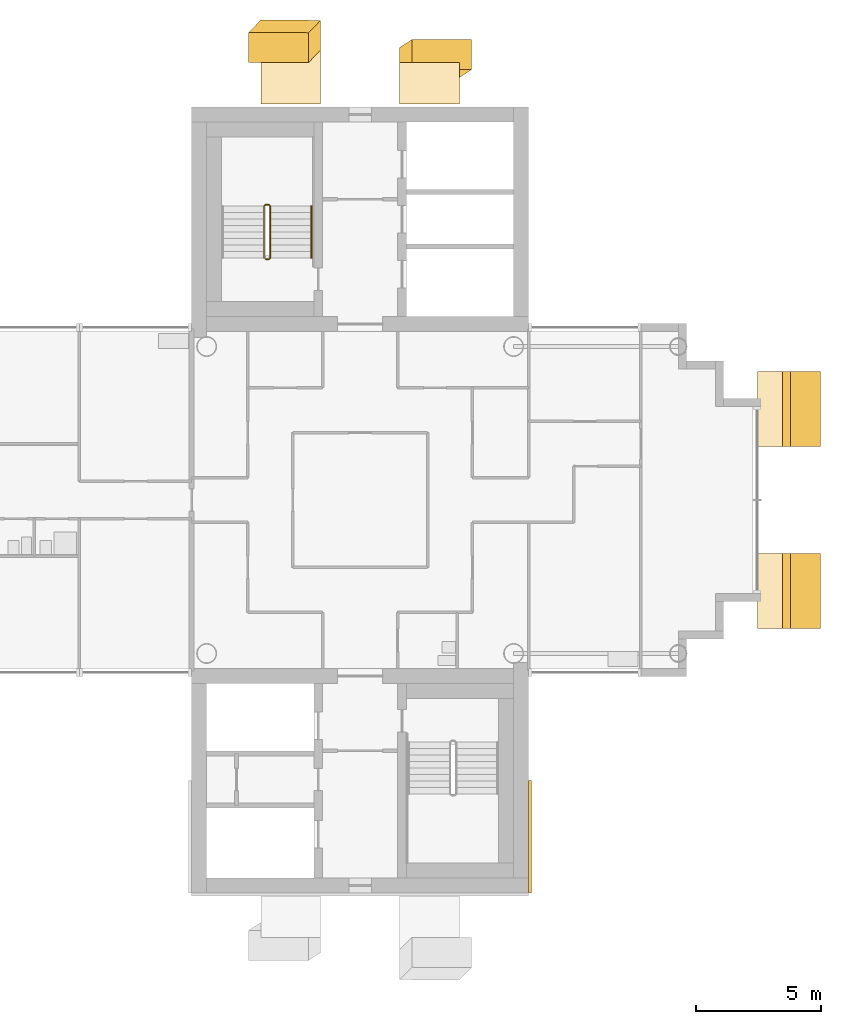
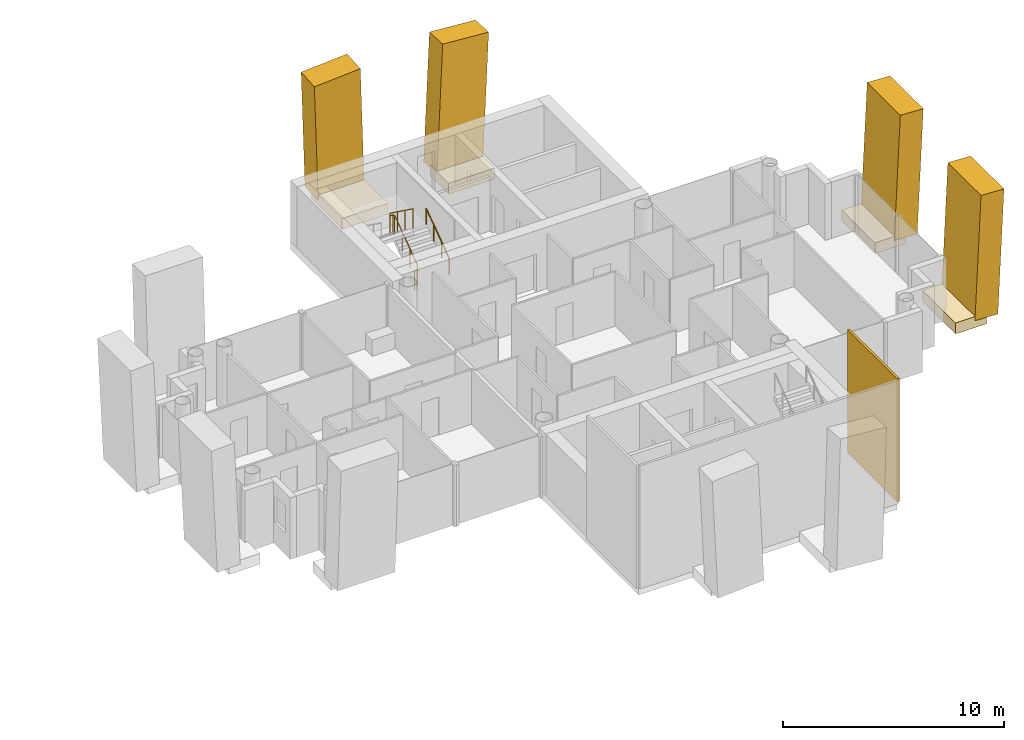
# One storey, part 17 of 18: 9 coverings, 2 railings.
"""IFC4 building model written with IfcOpenShell, lengths in metres."""

import ifcopenshell
import ifcopenshell.guid

model = None  # the IFC model being written
_history = None  # IfcOwnerHistory: only IFC2X3 demands one
_inside = {}  # id of a spatial element -> (the spatial element, [elements in it])
_under = {}  # id of a project, library or spatial element -> (it, [spatial elements below it])
_declared = {}  # id of a project -> (the project, [libraries it declares])
_typed = {}  # id of a type object -> (the type object, [elements of that type])
_made_of = {}  # id of a material, layer set ... -> (it, [elements and type objects made of it])


def new_model(schema):
    """Start an empty IFC model of exactly this schema.

    Asked for "IFC4X3", IfcOpenShell would pick the latest addendum, in which some entities
    have other attributes; the version numbers below select the first issue.
    IFC2X3 requires an IfcOwnerHistory on every rooted entity: one is made here for all.
    """
    global model, _history
    if schema == "IFC4X3":
        model = ifcopenshell.file(schema_version=(4, 3, 0, 0))
    else:
        model = ifcopenshell.file(schema=schema)
    _inside.clear()
    _under.clear()
    _declared.clear()
    _typed.clear()
    _made_of.clear()
    _history = None
    if model.schema == "IFC2X3":
        org = make("IfcOrganization", Name="unknown")
        user = make(
            "IfcPersonAndOrganization",
            ThePerson=make("IfcPerson", FamilyName="unknown"),
            TheOrganization=org,
        )
        app = make(
            "IfcApplication",
            ApplicationDeveloper=org,
            Version="unknown",
            ApplicationFullName="unknown",
            ApplicationIdentifier="unknown",
        )
        _history = make(
            "IfcOwnerHistory",
            OwningUser=user,
            OwningApplication=app,
            ChangeAction="ADDED",
            CreationDate=0,
        )
    return model


def make(cls, **values):
    """One entity of the class cls with the attributes given. An attribute that is None is left unset."""
    return model.create_entity(
        cls, **{name: value for name, value in values.items() if value is not None}
    )


def rooted(cls, **values):
    """An entity with a GlobalId (a new one), such as an element, a storey or a relation."""
    return make(cls, GlobalId=ifcopenshell.guid.new(), OwnerHistory=_history, **values)


def si_unit(unit_type, name, prefix=None):
    """IfcSIUnit, for example si_unit("LENGTHUNIT", "METRE", prefix="MILLI")."""
    return make("IfcSIUnit", UnitType=unit_type, Prefix=prefix, Name=name)


def assignment(units):
    """IfcUnitAssignment: the units of a project."""
    return None if units is None else make("IfcUnitAssignment", Units=units)


def point(xyz):
    """IfcCartesianPoint."""
    return None if xyz is None else make("IfcCartesianPoint", Coordinates=xyz)


def direction(xyz):
    """IfcDirection."""
    return None if xyz is None else make("IfcDirection", DirectionRatios=xyz)


def frame(location, z_axis=None, x_axis=None):
    """IfcAxis2Placement3D, a coordinate frame: its origin and axes. An axis left out is left unset."""
    return make(
        "IfcAxis2Placement3D",
        Location=point(location),
        Axis=direction(z_axis),
        RefDirection=direction(x_axis),
    )


def frame_2d(location, x_axis=None):
    """IfcAxis2Placement2D, a coordinate frame in the plane: its origin and x axis."""
    return make(
        "IfcAxis2Placement2D", Location=point(location), RefDirection=direction(x_axis)
    )


def origin():
    """The frame at (0, 0, 0) with its axes left unset."""
    return frame((0.0, 0.0, 0.0))


def origin_2d():
    """The frame at (0, 0) in the plane with its x axis left unset."""
    return frame_2d((0.0, 0.0))


def place(relative_to, where):
    """IfcLocalPlacement: puts the frame where relative to a parent placement (None: the world)."""
    return make(
        "IfcLocalPlacement", PlacementRelTo=relative_to, RelativePlacement=where
    )


def context(
    kind, dimensions, precision=None, world=None, true_north=None, identifier=None
):
    """IfcGeometricRepresentationContext, for example the 3D "Model" context."""
    return make(
        "IfcGeometricRepresentationContext",
        ContextIdentifier=identifier,
        ContextType=kind,
        CoordinateSpaceDimension=dimensions,
        Precision=precision,
        WorldCoordinateSystem=world,
        TrueNorth=true_north,
    )


def subcontext(parent, identifier, kind, view, scale=None):
    """IfcGeometricRepresentationSubContext, for example "Body" below "Model"."""
    return make(
        "IfcGeometricRepresentationSubContext",
        ContextIdentifier=identifier,
        ContextType=kind,
        ParentContext=parent,
        TargetScale=scale,
        TargetView=view,
    )


def project(units=None, contexts=None):
    """IfcProject with its units and contexts."""
    return rooted(
        "IfcProject",
        Name="project",
        RepresentationContexts=contexts,
        UnitsInContext=assignment(units),
    )


def spatial(cls, under=None, at=None, **own):
    """A site, building, storey or space (cls), placed at a placement, below another one or the project."""
    s = rooted(cls, ObjectPlacement=at, **own)
    if under is not None:
        _under.setdefault(under.id(), (under, []))[1].append(s)
    return s


def profile(cls, at=None, kind="AREA", **sizes):
    """A parametric profile (cls). Its sizes go by their IFC names, for example OverallWidth=200.0."""
    return make(cls, ProfileType=kind, Position=at, **sizes)


def rectangle(**sizes):
    """IfcRectangleProfileDef."""
    return profile("IfcRectangleProfileDef", **sizes)


def circle(**sizes):
    """IfcCircleProfileDef."""
    return profile("IfcCircleProfileDef", **sizes)


def extrude(swept, where, along, depth):
    """IfcExtrudedAreaSolid: the profile swept, set in the frame where, extruded along a direction by depth."""
    return make(
        "IfcExtrudedAreaSolid",
        SweptArea=swept,
        Position=where,
        ExtrudedDirection=direction(along),
        Depth=depth,
    )


def shape(context_of_items, identifier, shape_type, items):
    """IfcShapeRepresentation: the items that make up one representation, for example the "Body"."""
    return make(
        "IfcShapeRepresentation",
        ContextOfItems=context_of_items,
        RepresentationIdentifier=identifier,
        RepresentationType=shape_type,
        Items=items,
    )


def material(Name=None, Category=None):
    """IfcMaterial."""
    return make("IfcMaterial", Name=Name, Category=Category)


def layer(
    of_material, thickness, ventilated=None, Name=None, Category=None, Priority=None
):
    """IfcMaterialLayer: one layer of a wall or slab, of a material (None: an air gap)."""
    return make(
        "IfcMaterialLayer",
        Material=of_material,
        LayerThickness=thickness,
        IsVentilated=ventilated,
        Name=Name,
        Category=Category,
        Priority=Priority,
    )


def layer_set(layers, Name=None):
    """IfcMaterialLayerSet."""
    return make("IfcMaterialLayerSet", MaterialLayers=layers, LayerSetName=Name)


def material_profile(
    of_material, cross_section, Name=None, Category=None, Priority=None
):
    """IfcMaterialProfile: a cross section and its material."""
    return make(
        "IfcMaterialProfile",
        Name=Name,
        Material=of_material,
        Profile=cross_section,
        Priority=Priority,
        Category=Category,
    )


def profile_set(profiles, Name=None, composite=None):
    """IfcMaterialProfileSet."""
    return make(
        "IfcMaterialProfileSet",
        Name=Name,
        MaterialProfiles=profiles,
        CompositeProfile=composite,
    )


def made_of(thing, what):
    """Note that an element or type object is made of a material, layer set ...; save() writes the relation."""
    if what is not None:
        _made_of.setdefault(what.id(), (what, []))[1].append(thing)
    return thing


def type_object(cls, material=None, **own):
    """A type object (cls), such as IfcWallType, which elements share."""
    return made_of(rooted(cls, **own), material)


def element(
    cls,
    number,
    at=None,
    inside=None,
    cuts=None,
    type_object=None,
    material=None,
    context=None,
    identifier="Body",
    shape_type=None,
    held_by="IfcProductDefinitionShape",
    body=None,
    shapes=None,
    **own,
):
    """One element of the class cls, such as IfcWall. Its Tag is "e" and its number.

    at: its placement. inside: the storey or other place that contains it. cuts: it is an
    opening in that element (IfcRelVoidsElement). A single representation is given by context,
    identifier, shape_type and body (its items); several are given by shapes. held_by: the class
    of the entity that holds the representations. save() writes the other relations.
    """
    e = rooted(cls, Tag="e%d" % number, ObjectPlacement=at, **own)
    if body is not None:
        shapes = [shape(context, identifier, shape_type, body)]
    if shapes is not None:
        e.Representation = make(held_by, Representations=shapes)
    if inside is not None:
        _inside.setdefault(inside.id(), (inside, []))[1].append(e)
    if cuts is not None:
        rooted(
            "IfcRelVoidsElement", RelatingBuildingElement=cuts, RelatedOpeningElement=e
        )
    if type_object is not None:
        _typed.setdefault(type_object.id(), (type_object, []))[1].append(e)
    return made_of(e, material)


def aggregate(whole, parts):
    """IfcRelAggregates: a whole, such as a stair, and the parts it consists of."""
    return rooted("IfcRelAggregates", RelatingObject=whole, RelatedObjects=parts)


def save(model, path):
    """Write the relations noted so far, then the file.

    IfcRelAggregates (storeys below a building ...), IfcRelContainedInSpatialStructure (elements
    in a storey), IfcRelDefinesByType, IfcRelAssociatesMaterial and IfcRelDeclares: one each for
    every whole, place, type object, material and project.
    """
    for whole, parts in _under.values():
        aggregate(whole, parts)
    for where, things in _inside.values():
        rooted(
            "IfcRelContainedInSpatialStructure",
            RelatedElements=things,
            RelatingStructure=where,
        )
    for kind, things in _typed.values():
        rooted("IfcRelDefinesByType", RelatedObjects=things, RelatingType=kind)
    for what, things in _made_of.values():
        rooted("IfcRelAssociatesMaterial", RelatedObjects=things, RelatingMaterial=what)
    for by, libraries in _declared.values():
        rooted("IfcRelDeclares", RelatingContext=by, RelatedDefinitions=libraries)
    model.write(path)


model = new_model("IFC4")

# Units and contexts
model_context = context("Model", 3, precision=1e-05, world=origin(), true_north=direction((0.0, 1.0)))
body_context = subcontext(model_context, "Body", "Model", "MODEL_VIEW")
ifc_project = project(units=[si_unit("LENGTHUNIT", "METRE"), si_unit("AREAUNIT", "SQUARE_METRE"), si_unit("VOLUMEUNIT", "CUBIC_METRE"), si_unit("PLANEANGLEUNIT", "RADIAN"), si_unit("MASSUNIT", "GRAM", prefix="KILO")], contexts=[model_context])

# Site, building, storey
site_placement = place(None, origin())
site = spatial("IfcSite", under=ifc_project, at=site_placement, CompositionType="ELEMENT")
building_placement = place(site_placement, origin())
building = spatial("IfcBuilding", under=site, at=building_placement, Name="Ipe Terrace Towers", CompositionType="ELEMENT")
storey_placement = place(building_placement, frame((0.0, 0.0, 223.199951171875)))
storey = spatial("IfcBuildingStorey", under=building, at=storey_placement, Name="L62", CompositionType="ELEMENT", Elevation=223.199951171875)

# Coverings
ifc_material_1 = material(Name="Concrete C50/60 precast, buff finish", Category="concrete")
ifc_layer = layer(ifc_material_1, 0.1201171875)
ifc_layer_set = layer_set([ifc_layer], Name="STONE CORE CLADDING 120")
covering_type_1 = type_object("IfcCoveringType", Name="STONE CORE CLADDING 120", PredefinedType="CLADDING", material=ifc_layer_set)
covering_1_placement = place(storey_placement, frame((42.81005859375, -13.5, 0.0), z_axis=(0.0, 0.0, 1.0), x_axis=(0.0, 1.0, 0.0)))
element("IfcCovering", 1, at=covering_1_placement, inside=storey, type_object=covering_type_1, Name="stone core cladding", PredefinedType="CLADDING", context=body_context, shape_type="SweptSolid", body=[
    extrude(rectangle(XDim=4.5, YDim=0.1201171875, at=origin_2d()), origin(), (0.0, 0.0, 1.0), 6.800048828125),
])
ifc_material_2 = material(Name="Concrete C50/60 precast, buff finish", Category="concrete")
ifc_material_profile_1 = material_profile(ifc_material_2, rectangle(XDim=2.39990234375, YDim=1.199951171875, at=origin_2d()), Name="STONE FIN 2400 x 1200")
ifc_profile_set_1 = profile_set([ifc_material_profile_1], Name="Concrete C50/60 precast, buff finish")
covering_type_2 = type_object("IfcCoveringType", Name="STONE FIN 2400 x 1200", PredefinedType="USERDEFINED", material=ifc_profile_set_1)
covering_2_placement = place(storey_placement, frame((33.219970703125, 18.6298828125, 0.0), z_axis=(-0.071394703093, -0.072966172296, 0.994775720487), x_axis=(-0.997448142196, 0.005222725852, -0.071203418207)))
element("IfcCovering", 2, at=covering_2_placement, inside=storey, type_object=covering_type_2, Name="stone fin", ObjectType="FIN", PredefinedType="USERDEFINED", context=body_context, shape_type="SweptSolid", body=[
    extrude(rectangle(XDim=2.39990234375, YDim=1.199951171875, at=origin_2d()), origin(), (0.0, 0.0, 1.0), 6.835693359375),
])
covering_3_placement = place(storey_placement, frame((38.780029296875, 17.530029296875, 0.0), z_axis=(0.071507835766, 0.046574888528, 0.996352050825), x_axis=(-0.997440038009, 0.003339017245, 0.071429836482)))
element("IfcCovering", 3, at=covering_3_placement, inside=storey, type_object=covering_type_2, Name="stone fin", ObjectType="FIN", PredefinedType="USERDEFINED", context=body_context, shape_type="SweptSolid", body=[
    extrude(rectangle(XDim=2.39990234375, YDim=1.199951171875, at=origin_2d()), origin(), (0.0, 0.0, 1.0), 6.824951171875),
])
ifc_material_3 = material(Name="Concrete C50/60 precast, buff finish", Category="concrete")
ifc_material_profile_2 = material_profile(ifc_material_3, rectangle(XDim=3.0, YDim=1.199951171875, at=origin_2d()), Name="STONE FIN CORNER 3000 x 1200")
ifc_profile_set_2 = profile_set([ifc_material_profile_2], Name="Concrete C50/60 precast, buff finish")
covering_type_3 = type_object("IfcCoveringType", Name="STONE FIN CORNER 3000 x 1200", PredefinedType="USERDEFINED", material=ifc_profile_set_2)
for number, where, z_axis, x_axis, name in (
    (4, (53.530029296875, -3.64990234375, 0.0), (0.04669442448, 0.0, 0.998909220461), (0.0, 1.0, 0.0), "stone fin"),
    (5, (53.530029296875, 3.64990234375, 0.0), (0.04669442448, 0.0, 0.998909220461), (0.0, 1.0, 0.0), "stone fin"),
):
    element("IfcCovering", number, at=place(storey_placement, frame(where, z_axis=z_axis, x_axis=x_axis)), inside=storey, type_object=covering_type_3, Name=name, ObjectType="FIN", PredefinedType="USERDEFINED", context=body_context, shape_type="SweptSolid", body=[
        extrude(rectangle(XDim=3.0, YDim=1.199951171875, at=origin_2d()), origin(), (0.0, 0.0, 1.0), 6.807373046875),
    ])
ifc_material_4 = material(Name="Concrete C50/60 precast, buff finish", Category="concrete")
covering_type_4 = type_object("IfcCoveringType", Name="STONE FIN SHELF 2400 x 600", PredefinedType="CLADDING", material=ifc_material_4)
covering_4_placement = place(storey_placement, frame((33.219970703125, 17.2451171875, -0.35009765625), z_axis=(0.0, 0.0, 1.0), x_axis=(-1.0, 0.0, 0.0)))
element("IfcCovering", 6, at=covering_4_placement, inside=storey, type_object=covering_type_4, Name="stone fin shelf", PredefinedType="CLADDING", context=body_context, shape_type="SweptSolid", body=[
    extrude(rectangle(XDim=2.39990234375, YDim=2.77001953125, at=origin_2d()), origin(), (0.0, 0.0, 1.0), 0.60009765625),
])
covering_5_placement = place(storey_placement, frame((38.780029296875, 16.695068359375, -0.35009765625), z_axis=(0.0, 0.0, 1.0), x_axis=(-1.0, 0.0, 0.0)))
element("IfcCovering", 7, at=covering_5_placement, inside=storey, type_object=covering_type_4, Name="stone fin shelf", PredefinedType="CLADDING", context=body_context, shape_type="SweptSolid", body=[
    extrude(rectangle(XDim=2.39990234375, YDim=1.669921875, at=origin_2d()), origin(), (0.0, 0.0, 1.0), 0.60009765625),
])
ifc_material_5 = material(Name="Concrete C50/60 precast, buff finish", Category="concrete")
covering_type_5 = type_object("IfcCoveringType", Name="STONE FIN SHELF 3000 x 600", PredefinedType="CLADDING", material=ifc_material_5)
for number, where, z_axis, x_axis, name in (
    (8, (52.722900390625, -3.64990234375, -0.35009765625), (0.0, 0.0, 1.0), (0.0, 1.0, 0.0), "stone fin shelf"),
    (9, (52.722900390625, 3.64990234375, -0.35009765625), (0.0, 0.0, 1.0), (0.0, 1.0, 0.0), "stone fin shelf"),
):
    element("IfcCovering", number, at=place(storey_placement, frame(where, z_axis=z_axis, x_axis=x_axis)), inside=storey, type_object=covering_type_5, Name=name, PredefinedType="CLADDING", context=body_context, shape_type="SweptSolid", body=[
        extrude(rectangle(XDim=3.0, YDim=1.614013671875, at=origin_2d()), origin(), (0.0, 0.0, 1.0), 0.60009765625),
    ])

# Railings
ifc_material_6 = material(Name="Steel S355", Category="steel")
railing_type_1 = type_object("IfcRailingType", Name="Stair guard 1100", PredefinedType="GUARDRAIL", material=ifc_material_6)
railing_1_placement = place(storey_placement, frame((32.199951171875, 9.64990234375, 0.0)))
element("IfcRailing", 10, at=railing_1_placement, inside=storey, type_object=railing_type_1, Name="L62 T2-ST1 stair guard 1", PredefinedType="GUARDRAIL", context=body_context, shape_type="SweptSolid", body=[
    extrude(circle(Radius=0.02392578125, at=origin_2d()), frame((0.0, 0.0, 1.076171875), z_axis=(1.0, 0.0, 0.0), x_axis=(0.0, 1.0, 0.0)), (0.0, 0.0, 1.0), 0.150146484375),
    extrude(circle(Radius=0.02392578125, at=origin_2d()), frame((0.150146484375, 0.0, 1.076171875), z_axis=(0.246893586699, 0.248103849378, 0.936743314239), x_axis=(-0.708833529934, 0.705375805398, 0.0)), (0.0, 0.0, 1.0), 0.20166015625),
    extrude(circle(Radius=0.02392578125, at=origin_2d()), frame((0.199951171875, 0.050048828125, 1.26513671875), z_axis=(0.0, 0.809068575486, 0.587714250432), x_axis=(-1.0, 0.0, 0.0)), (0.0, 0.0, 1.0), 2.571044921875),
    extrude(circle(Radius=0.02392578125, at=origin_2d()), frame((0.199951171875, 2.130126953125, 2.77587890625), z_axis=(-0.705375805398, 0.708833529934, 0.0), x_axis=(-0.708833529934, -0.705375805398, 0.0)), (0.0, 0.0, 1.0), 0.070556640625),
    extrude(circle(Radius=0.02392578125, at=origin_2d()), frame((0.150146484375, 2.18017578125, 2.77587890625), z_axis=(-1.0, 0.0, 0.0), x_axis=(0.0, -1.0, 0.0)), (0.0, 0.0, 1.0), 0.150146484375),
    extrude(circle(Radius=0.02392578125, at=origin_2d()), frame((0.0, 2.18017578125, 2.77587890625), z_axis=(-0.248029566107, -0.248029566107, 0.936462849596), x_axis=(0.707106781187, -0.707106781187, 0.0)), (0.0, 0.0, 1.0), 0.201904296875),
    extrude(circle(Radius=0.02392578125, at=origin_2d()), frame((-0.050048828125, 2.130126953125, 2.96484375), z_axis=(0.0, -0.809023421508, 0.587776406001), x_axis=(1.0, 0.0, 0.0)), (0.0, 0.0, 1.0), 2.571044921875),
    extrude(circle(Radius=0.02099609375, at=origin_2d()), origin(), (0.0, 0.0, 1.0), 1.052001953125),
    extrude(circle(Radius=0.02099609375, at=origin_2d()), frame((0.150146484375, 0.0, 0.0)), (0.0, 0.0, 1.0), 1.052001953125),
    extrude(circle(Radius=0.02099609375, at=origin_2d()), frame((0.199951171875, 0.050048828125, 0.18896484375)), (0.0, 0.0, 1.0), 1.052001953125),
    extrude(circle(Radius=0.02099609375, at=origin_2d()), frame((0.199951171875, 0.743408203125, 0.692626953125)), (0.0, 0.0, 1.0), 1.052001953125),
    extrude(circle(Radius=0.02099609375, at=origin_2d()), frame((0.199951171875, 1.436767578125, 1.1962890625)), (0.0, 0.0, 1.0), 1.052001953125),
    extrude(circle(Radius=0.02099609375, at=origin_2d()), frame((0.199951171875, 2.130126953125, 1.699951171875)), (0.0, 0.0, 1.0), 1.052001953125),
    extrude(circle(Radius=0.02099609375, at=origin_2d()), frame((0.150146484375, 2.18017578125, 1.699951171875)), (0.0, 0.0, 1.0), 1.052001953125),
    extrude(circle(Radius=0.02099609375, at=origin_2d()), frame((0.0, 2.18017578125, 1.699951171875)), (0.0, 0.0, 1.0), 1.052001953125),
    extrude(circle(Radius=0.02099609375, at=origin_2d()), frame((-0.050048828125, 2.130126953125, 1.888916015625)), (0.0, 0.0, 1.0), 1.052001953125),
    extrude(circle(Radius=0.02099609375, at=origin_2d()), frame((-0.050048828125, 1.436767578125, 2.392578125)), (0.0, 0.0, 1.0), 1.052001953125),
    extrude(circle(Radius=0.02099609375, at=origin_2d()), frame((-0.050048828125, 0.743408203125, 2.896484375)), (0.0, 0.0, 1.0), 1.052001953125),
    extrude(circle(Radius=0.02099609375, at=origin_2d()), frame((-0.050048828125, 0.050048828125, 3.400146484375)), (0.0, 0.0, 1.0), 1.052001953125),
])
ifc_material_7 = material(Name="Stainless steel grade 304", Category="steel")
railing_type_2 = type_object("IfcRailingType", Name="Stair handrail 900", PredefinedType="HANDRAIL", material=ifc_material_7)
railing_2_placement = place(storey_placement, frame((34.050048828125, 9.699951171875, 0.18896484375)))
element("IfcRailing", 11, at=railing_2_placement, inside=storey, type_object=railing_type_2, Name="L62 T2-ST1 stair handrail 1", PredefinedType="HANDRAIL", context=body_context, shape_type="SweptSolid", body=[
    extrude(circle(Radius=0.02392578125, at=origin_2d()), frame((0.0, 0.0, 0.8759765625), z_axis=(0.0, 0.809068575486, 0.587714250432), x_axis=(-1.0, 0.0, 0.0)), (0.0, 0.0, 1.0), 2.571044921875),
    extrude(circle(Radius=0.02099609375, at=origin_2d()), origin(), (0.0, 0.0, 1.0), 0.851806640625),
    extrude(circle(Radius=0.02099609375, at=origin_2d()), frame((0.0, 0.693359375, 0.503662109375)), (0.0, 0.0, 1.0), 0.851806640625),
    extrude(circle(Radius=0.02099609375, at=origin_2d()), frame((0.0, 1.38671875, 1.00732421875)), (0.0, 0.0, 1.0), 0.851806640625),
    extrude(circle(Radius=0.02099609375, at=origin_2d()), frame((0.0, 2.080078125, 1.510986328125)), (0.0, 0.0, 1.0), 0.851806640625),
])

save(model, "model.ifc")
